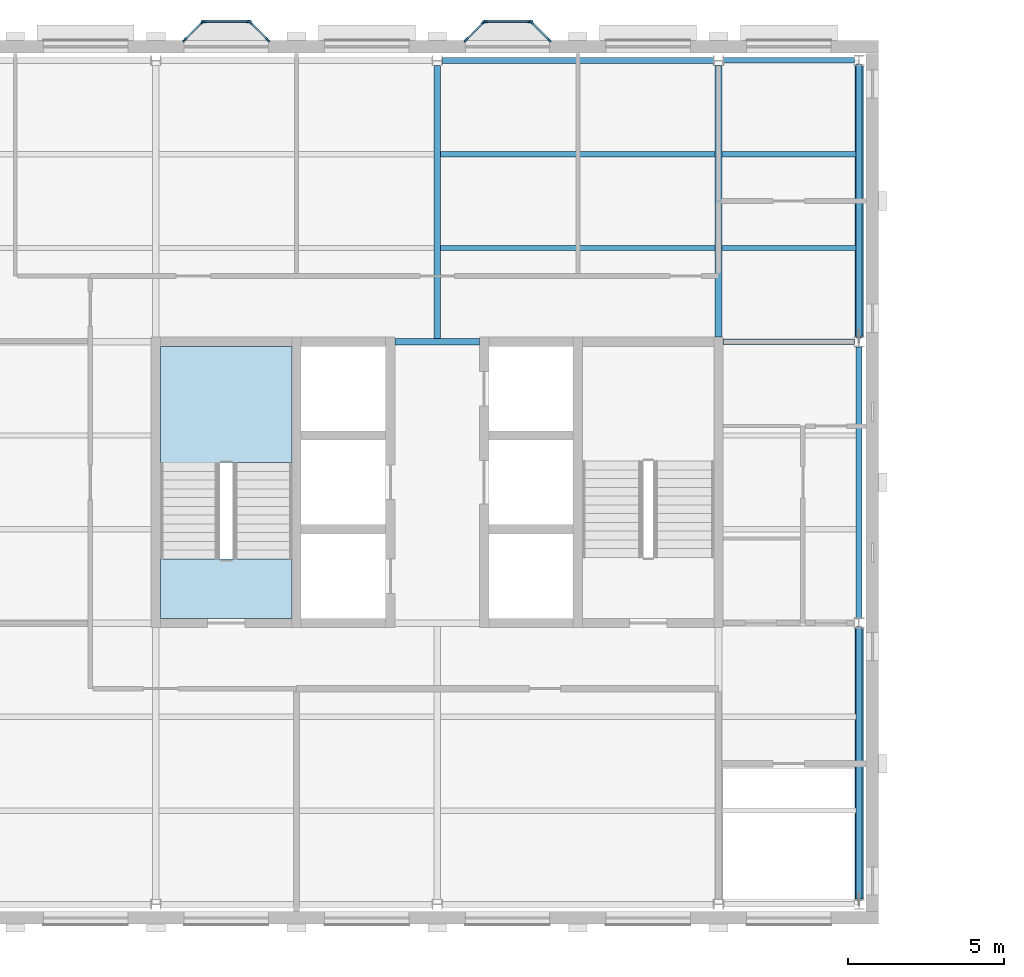
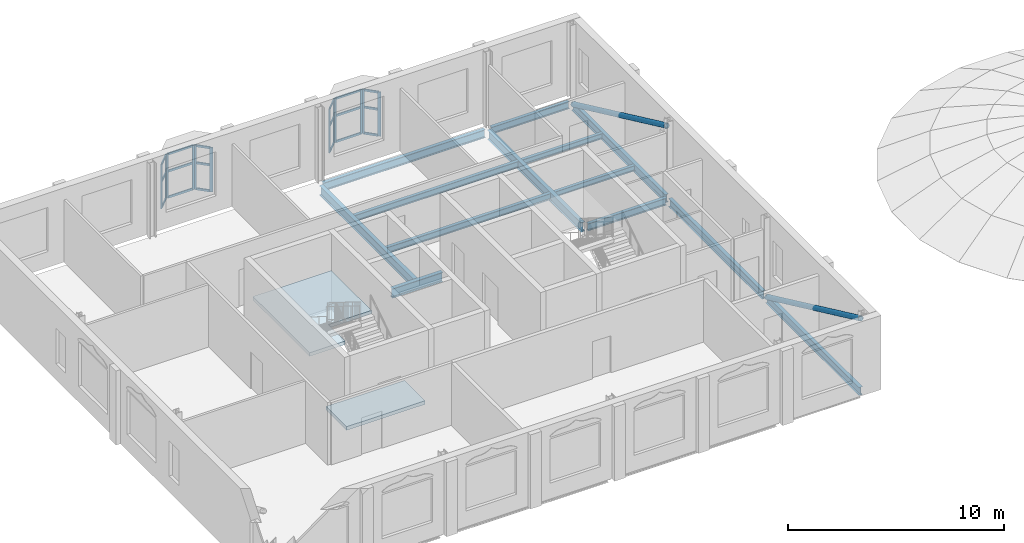
# One storey, part 2 of 11: 32 members, 13 beams, 2 slabs, 7 elements without a shape of their own.
"""IFC4 building model written with IfcOpenShell, lengths in metres."""

from ifc_helpers import new_model, si_unit, direction, frame, origin, origin_2d, place, context, subcontext, project, spatial, polyline, rectangle, hollow_circle, i_section, outline, extrude, material, layer, layer_set, material_profile, profile_set, type_object, element, aggregate, save


model = new_model("IFC4")

# Units and contexts
model_context = context("Model", 3, precision=1e-05, world=origin(), true_north=direction((0.0, 1.0)))
body_context = subcontext(model_context, "Body", "Model", "MODEL_VIEW")
ifc_project = project(units=[si_unit("LENGTHUNIT", "METRE"), si_unit("AREAUNIT", "SQUARE_METRE"), si_unit("VOLUMEUNIT", "CUBIC_METRE"), si_unit("PLANEANGLEUNIT", "RADIAN"), si_unit("MASSUNIT", "GRAM", prefix="KILO")], contexts=[model_context])

# Site, building, storey
site_placement = place(None, origin())
site = spatial("IfcSite", under=ifc_project, at=site_placement, CompositionType="ELEMENT")
building_placement = place(site_placement, origin())
building = spatial("IfcBuilding", under=site, at=building_placement, Name="Hortulan Conservatory and Botanical Research Centre", CompositionType="ELEMENT")
storey_placement = place(building_placement, frame((0.0, 0.0, 27.60009765625)))
storey = spatial("IfcBuildingStorey", under=building, at=storey_placement, Name="L06", CompositionType="ELEMENT", Elevation=27.60009765625)

# Members
ifc_material_1 = material(Name="Steel Grade C350L0 (350 MPa, AS/NZS 1163)", Category="steel")
ifc_material_profile_1 = material_profile(ifc_material_1, hollow_circle(Radius=0.136474609375, WallThickness=0.00927734375, at=origin_2d()), Name="273.1x9.3CHS")
ifc_profile_set_1 = profile_set([ifc_material_profile_1], Name="Steel Grade C350L0 (350 MPa, AS/NZS 1163)")
member_type_1 = type_object("IfcMemberType", Name="Brace 273.1x9.3CHS", PredefinedType="BRACE", material=ifc_profile_set_1)
for number, where, z_axis, x_axis, name in (
    (1, (31.5, 8.83642578125, -0.28369140625), (0.0, -0.906181836611, 0.422888258286), (1.0, 0.0, 0.0), "273.1x9.3CHS brace"),
    (2, (31.5, 26.83642578125, -0.28369140625), (0.0, -0.906181836611, 0.422888258286), (1.0, 0.0, 0.0), "273.1x9.3CHS brace"),
):
    element("IfcMember", number, at=place(storey_placement, frame(where, z_axis=z_axis, x_axis=x_axis)), inside=storey, type_object=member_type_1, Name=name, PredefinedType="BRACE", context=body_context, shape_type="SweptSolid", body=[
        extrude(hollow_circle(Radius=0.136474609375, WallThickness=0.00927734375, at=origin_2d()), origin(), (0.0, 0.0, 1.0), 9.57080078125),
    ])

# Curtain wall, members
ifc_material_2 = material(Name="Bronze-finished aluminium", Category="aluminium")
ifc_layer_1 = layer(ifc_material_2, 0.10009765625)
ifc_layer_set_1 = layer_set([ifc_layer_1], Name="Oriel Curtain Wall 1350 module")
curtain_wall_type = type_object("IfcCurtainWallType", Name="Oriel Curtain Wall 1350 module", PredefinedType="NOTDEFINED", material=ifc_layer_set_1)
curtain_wall_1_placement = place(storey_placement, origin())
curtain_wall_1 = element("IfcCurtainWall", 3, at=curtain_wall_1_placement, inside=storey, type_object=curtain_wall_type, Name="Oriel glazing", PredefinedType="NOTDEFINED")
ifc_material_profile_2 = material_profile(ifc_material_2, rectangle(XDim=0.06005859375, YDim=0.159912109375, at=origin_2d()), Name="Bronze Mullion 60x160")
ifc_profile_set_2 = profile_set([ifc_material_profile_2], Name="Bronze-finished aluminium")
member_type_2 = type_object("IfcMemberType", Name="Bronze Mullion 60x160", PredefinedType="MULLION", material=ifc_profile_set_2)
member_1_placement = place(storey_placement, frame((9.921142578125, 27.6572265625, 0.89990234375), z_axis=(0.0, 0.0, 1.0), x_axis=(-0.707106781187, 0.707106781187, 0.0)))
member_1 = element("IfcMember", 4, at=member_1_placement, type_object=member_type_2, Name="CW2 mullion 1", PredefinedType="MULLION", context=body_context, shape_type="SweptSolid", body=[
    extrude(rectangle(XDim=0.06005859375, YDim=0.159912109375, at=origin_2d()), origin(), (0.0, 0.0, 1.0), 2.5),
])
member_2_placement = place(storey_placement, frame((10.478759765625, 28.21484375, 0.89990234375), z_axis=(0.0, 0.0, 1.0), x_axis=(-0.707106781187, 0.707106781187, 0.0)))
member_2 = element("IfcMember", 5, at=member_2_placement, type_object=member_type_2, Name="CW2 mullion 2", PredefinedType="MULLION", context=body_context, shape_type="SweptSolid", body=[
    extrude(rectangle(XDim=0.06005859375, YDim=0.159912109375, at=origin_2d()), origin(), (0.0, 0.0, 1.0), 2.5),
])

curtain_wall_2_placement = place(storey_placement, origin())
curtain_wall_2 = element("IfcCurtainWall", 6, at=curtain_wall_2_placement, inside=storey, type_object=curtain_wall_type, Name="Oriel glazing", PredefinedType="NOTDEFINED")
member_3_placement = place(storey_placement, frame((10.530029296875, 28.236083984375, 0.89990234375), z_axis=(0.0, 0.0, 1.0), x_axis=(0.0, 1.0, 0.0)))
member_3 = element("IfcMember", 7, at=member_3_placement, type_object=member_type_2, Name="CW2 mullion 1", PredefinedType="MULLION", context=body_context, shape_type="SweptSolid", body=[
    extrude(rectangle(XDim=0.06005859375, YDim=0.159912109375, at=origin_2d()), origin(), (0.0, 0.0, 1.0), 2.5),
])
member_4_placement = place(storey_placement, frame((11.969970703125, 28.236083984375, 0.89990234375), z_axis=(0.0, 0.0, 1.0), x_axis=(0.0, 1.0, 0.0)))
member_4 = element("IfcMember", 8, at=member_4_placement, type_object=member_type_2, Name="CW2 mullion 2", PredefinedType="MULLION", context=body_context, shape_type="SweptSolid", body=[
    extrude(rectangle(XDim=0.06005859375, YDim=0.159912109375, at=origin_2d()), origin(), (0.0, 0.0, 1.0), 2.5),
])

curtain_wall_3_placement = place(storey_placement, origin())
curtain_wall_3 = element("IfcCurtainWall", 9, at=curtain_wall_3_placement, inside=storey, type_object=curtain_wall_type, Name="Oriel glazing", PredefinedType="NOTDEFINED")
member_5_placement = place(storey_placement, frame((12.021240234375, 28.21484375, 0.89990234375), z_axis=(0.0, 0.0, 1.0), x_axis=(0.707106781187, 0.707106781187, 0.0)))
member_5 = element("IfcMember", 10, at=member_5_placement, type_object=member_type_2, Name="CW2 mullion 1", PredefinedType="MULLION", context=body_context, shape_type="SweptSolid", body=[
    extrude(rectangle(XDim=0.06005859375, YDim=0.159912109375, at=origin_2d()), origin(), (0.0, 0.0, 1.0), 2.5),
])
member_6_placement = place(storey_placement, frame((12.578857421875, 27.6572265625, 0.89990234375), z_axis=(0.0, 0.0, 1.0), x_axis=(0.707106781187, 0.707106781187, 0.0)))
member_6 = element("IfcMember", 11, at=member_6_placement, type_object=member_type_2, Name="CW2 mullion 2", PredefinedType="MULLION", context=body_context, shape_type="SweptSolid", body=[
    extrude(rectangle(XDim=0.06005859375, YDim=0.159912109375, at=origin_2d()), origin(), (0.0, 0.0, 1.0), 2.5),
])

curtain_wall_4_placement = place(storey_placement, origin())
curtain_wall_4 = element("IfcCurtainWall", 12, at=curtain_wall_4_placement, inside=storey, type_object=curtain_wall_type, Name="Oriel glazing", PredefinedType="NOTDEFINED")
member_7_placement = place(storey_placement, frame((18.921142578125, 27.6572265625, 0.89990234375), z_axis=(0.0, 0.0, 1.0), x_axis=(-0.707106781187, 0.707106781187, 0.0)))
member_7 = element("IfcMember", 13, at=member_7_placement, type_object=member_type_2, Name="CW2 mullion 1", PredefinedType="MULLION", context=body_context, shape_type="SweptSolid", body=[
    extrude(rectangle(XDim=0.06005859375, YDim=0.159912109375, at=origin_2d()), origin(), (0.0, 0.0, 1.0), 2.5),
])
member_8_placement = place(storey_placement, frame((19.478759765625, 28.21484375, 0.89990234375), z_axis=(0.0, 0.0, 1.0), x_axis=(-0.707106781187, 0.707106781187, 0.0)))
member_8 = element("IfcMember", 14, at=member_8_placement, type_object=member_type_2, Name="CW2 mullion 2", PredefinedType="MULLION", context=body_context, shape_type="SweptSolid", body=[
    extrude(rectangle(XDim=0.06005859375, YDim=0.159912109375, at=origin_2d()), origin(), (0.0, 0.0, 1.0), 2.5),
])

curtain_wall_5_placement = place(storey_placement, origin())
curtain_wall_5 = element("IfcCurtainWall", 15, at=curtain_wall_5_placement, inside=storey, type_object=curtain_wall_type, Name="Oriel glazing", PredefinedType="NOTDEFINED")
member_9_placement = place(storey_placement, frame((19.530029296875, 28.236083984375, 0.89990234375), z_axis=(0.0, 0.0, 1.0), x_axis=(0.0, 1.0, 0.0)))
member_9 = element("IfcMember", 16, at=member_9_placement, type_object=member_type_2, Name="CW2 mullion 1", PredefinedType="MULLION", context=body_context, shape_type="SweptSolid", body=[
    extrude(rectangle(XDim=0.06005859375, YDim=0.159912109375, at=origin_2d()), origin(), (0.0, 0.0, 1.0), 2.5),
])
member_10_placement = place(storey_placement, frame((20.969970703125, 28.236083984375, 0.89990234375), z_axis=(0.0, 0.0, 1.0), x_axis=(0.0, 1.0, 0.0)))
member_10 = element("IfcMember", 17, at=member_10_placement, type_object=member_type_2, Name="CW2 mullion 2", PredefinedType="MULLION", context=body_context, shape_type="SweptSolid", body=[
    extrude(rectangle(XDim=0.06005859375, YDim=0.159912109375, at=origin_2d()), origin(), (0.0, 0.0, 1.0), 2.5),
])

curtain_wall_6_placement = place(storey_placement, origin())
curtain_wall_6 = element("IfcCurtainWall", 18, at=curtain_wall_6_placement, inside=storey, type_object=curtain_wall_type, Name="Oriel glazing", PredefinedType="NOTDEFINED")
member_11_placement = place(storey_placement, frame((21.021240234375, 28.21484375, 0.89990234375), z_axis=(0.0, 0.0, 1.0), x_axis=(0.707106781187, 0.707106781187, 0.0)))
member_11 = element("IfcMember", 19, at=member_11_placement, type_object=member_type_2, Name="CW2 mullion 1", PredefinedType="MULLION", context=body_context, shape_type="SweptSolid", body=[
    extrude(rectangle(XDim=0.06005859375, YDim=0.159912109375, at=origin_2d()), origin(), (0.0, 0.0, 1.0), 2.5),
])
member_12_placement = place(storey_placement, frame((21.578857421875, 27.6572265625, 0.89990234375), z_axis=(0.0, 0.0, 1.0), x_axis=(0.707106781187, 0.707106781187, 0.0)))
member_12 = element("IfcMember", 20, at=member_12_placement, type_object=member_type_2, Name="CW2 mullion 2", PredefinedType="MULLION", context=body_context, shape_type="SweptSolid", body=[
    extrude(rectangle(XDim=0.06005859375, YDim=0.159912109375, at=origin_2d()), origin(), (0.0, 0.0, 1.0), 2.5),
])

# Member
ifc_material_profile_3 = material_profile(ifc_material_2, rectangle(XDim=0.06005859375, YDim=0.1201171875, at=origin_2d()), Name="Bronze Transom 60x120")
ifc_profile_set_3 = profile_set([ifc_material_profile_3], Name="Bronze-finished aluminium")
member_type_3 = type_object("IfcMemberType", Name="Bronze Transom 60x120", PredefinedType="USERDEFINED", material=ifc_profile_set_3)
member_13_placement = place(storey_placement, frame((9.9423828125, 27.678466796875, 0.929931640625), z_axis=(0.707106781187, 0.707106781187, 0.0), x_axis=(-0.707106781187, 0.707106781187, 0.0)))
member_13 = element("IfcMember", 21, at=member_13_placement, type_object=member_type_3, Name="CW2 transom 1.1", ObjectType="TRANSOM", PredefinedType="USERDEFINED", context=body_context, shape_type="SweptSolid", body=[
    extrude(rectangle(XDim=0.06005859375, YDim=0.1201171875, at=origin_2d()), origin(), (0.0, 0.0, 1.0), 0.728515625),
])

member_14_placement = place(storey_placement, frame((9.9423828125, 27.678466796875, 2.39990234375), z_axis=(0.707106781187, 0.707106781187, 0.0), x_axis=(-0.707106781187, 0.707106781187, 0.0)))
member_14 = element("IfcMember", 22, at=member_14_placement, type_object=member_type_3, Name="CW2 transom 1.2", ObjectType="TRANSOM", PredefinedType="USERDEFINED", context=body_context, shape_type="SweptSolid", body=[
    extrude(rectangle(XDim=0.06005859375, YDim=0.1201171875, at=origin_2d()), origin(), (0.0, 0.0, 1.0), 0.728515625),
])

member_15_placement = place(storey_placement, frame((9.9423828125, 27.678466796875, 3.369873046875), z_axis=(0.707106781187, 0.707106781187, 0.0), x_axis=(-0.707106781187, 0.707106781187, 0.0)))
member_15 = element("IfcMember", 23, at=member_15_placement, type_object=member_type_3, Name="CW2 transom 1.3", ObjectType="TRANSOM", PredefinedType="USERDEFINED", context=body_context, shape_type="SweptSolid", body=[
    extrude(rectangle(XDim=0.06005859375, YDim=0.1201171875, at=origin_2d()), origin(), (0.0, 0.0, 1.0), 0.728515625),
])

aggregate(curtain_wall_1, [member_1, member_2, member_13, member_14, member_15])

member_16_placement = place(storey_placement, frame((10.56005859375, 28.236083984375, 0.929931640625), z_axis=(1.0, 0.0, 0.0), x_axis=(0.0, 1.0, 0.0)))
member_16 = element("IfcMember", 24, at=member_16_placement, type_object=member_type_3, Name="CW2 transom 1.1", ObjectType="TRANSOM", PredefinedType="USERDEFINED", context=body_context, shape_type="SweptSolid", body=[
    extrude(rectangle(XDim=0.06005859375, YDim=0.1201171875, at=origin_2d()), origin(), (0.0, 0.0, 1.0), 1.3798828125),
])

member_17_placement = place(storey_placement, frame((10.56005859375, 28.236083984375, 2.39990234375), z_axis=(1.0, 0.0, 0.0), x_axis=(0.0, 1.0, 0.0)))
member_17 = element("IfcMember", 25, at=member_17_placement, type_object=member_type_3, Name="CW2 transom 1.2", ObjectType="TRANSOM", PredefinedType="USERDEFINED", context=body_context, shape_type="SweptSolid", body=[
    extrude(rectangle(XDim=0.06005859375, YDim=0.1201171875, at=origin_2d()), origin(), (0.0, 0.0, 1.0), 1.3798828125),
])

member_18_placement = place(storey_placement, frame((10.56005859375, 28.236083984375, 3.369873046875), z_axis=(1.0, 0.0, 0.0), x_axis=(0.0, 1.0, 0.0)))
member_18 = element("IfcMember", 26, at=member_18_placement, type_object=member_type_3, Name="CW2 transom 1.3", ObjectType="TRANSOM", PredefinedType="USERDEFINED", context=body_context, shape_type="SweptSolid", body=[
    extrude(rectangle(XDim=0.06005859375, YDim=0.1201171875, at=origin_2d()), origin(), (0.0, 0.0, 1.0), 1.3798828125),
])

aggregate(curtain_wall_2, [member_3, member_4, member_16, member_17, member_18])

member_19_placement = place(storey_placement, frame((12.04248046875, 28.193603515625, 0.929931640625), z_axis=(0.707106781187, -0.707106781187, 0.0), x_axis=(0.707106781187, 0.707106781187, 0.0)))
member_19 = element("IfcMember", 27, at=member_19_placement, type_object=member_type_3, Name="CW2 transom 1.1", ObjectType="TRANSOM", PredefinedType="USERDEFINED", context=body_context, shape_type="SweptSolid", body=[
    extrude(rectangle(XDim=0.06005859375, YDim=0.1201171875, at=origin_2d()), origin(), (0.0, 0.0, 1.0), 0.728515625),
])

member_20_placement = place(storey_placement, frame((12.04248046875, 28.193603515625, 2.39990234375), z_axis=(0.707106781187, -0.707106781187, 0.0), x_axis=(0.707106781187, 0.707106781187, 0.0)))
member_20 = element("IfcMember", 28, at=member_20_placement, type_object=member_type_3, Name="CW2 transom 1.2", ObjectType="TRANSOM", PredefinedType="USERDEFINED", context=body_context, shape_type="SweptSolid", body=[
    extrude(rectangle(XDim=0.06005859375, YDim=0.1201171875, at=origin_2d()), origin(), (0.0, 0.0, 1.0), 0.728515625),
])

member_21_placement = place(storey_placement, frame((12.04248046875, 28.193603515625, 3.369873046875), z_axis=(0.707106781187, -0.707106781187, 0.0), x_axis=(0.707106781187, 0.707106781187, 0.0)))
member_21 = element("IfcMember", 29, at=member_21_placement, type_object=member_type_3, Name="CW2 transom 1.3", ObjectType="TRANSOM", PredefinedType="USERDEFINED", context=body_context, shape_type="SweptSolid", body=[
    extrude(rectangle(XDim=0.06005859375, YDim=0.1201171875, at=origin_2d()), origin(), (0.0, 0.0, 1.0), 0.728515625),
])

aggregate(curtain_wall_3, [member_5, member_6, member_19, member_20, member_21])

member_22_placement = place(storey_placement, frame((18.9423828125, 27.678466796875, 0.929931640625), z_axis=(0.707106781187, 0.707106781187, 0.0), x_axis=(-0.707106781187, 0.707106781187, 0.0)))
member_22 = element("IfcMember", 30, at=member_22_placement, type_object=member_type_3, Name="CW2 transom 1.1", ObjectType="TRANSOM", PredefinedType="USERDEFINED", context=body_context, shape_type="SweptSolid", body=[
    extrude(rectangle(XDim=0.06005859375, YDim=0.1201171875, at=origin_2d()), origin(), (0.0, 0.0, 1.0), 0.728515625),
])

member_23_placement = place(storey_placement, frame((18.9423828125, 27.678466796875, 2.39990234375), z_axis=(0.707106781187, 0.707106781187, 0.0), x_axis=(-0.707106781187, 0.707106781187, 0.0)))
member_23 = element("IfcMember", 31, at=member_23_placement, type_object=member_type_3, Name="CW2 transom 1.2", ObjectType="TRANSOM", PredefinedType="USERDEFINED", context=body_context, shape_type="SweptSolid", body=[
    extrude(rectangle(XDim=0.06005859375, YDim=0.1201171875, at=origin_2d()), origin(), (0.0, 0.0, 1.0), 0.728515625),
])

member_24_placement = place(storey_placement, frame((18.9423828125, 27.678466796875, 3.369873046875), z_axis=(0.707106781187, 0.707106781187, 0.0), x_axis=(-0.707106781187, 0.707106781187, 0.0)))
member_24 = element("IfcMember", 32, at=member_24_placement, type_object=member_type_3, Name="CW2 transom 1.3", ObjectType="TRANSOM", PredefinedType="USERDEFINED", context=body_context, shape_type="SweptSolid", body=[
    extrude(rectangle(XDim=0.06005859375, YDim=0.1201171875, at=origin_2d()), origin(), (0.0, 0.0, 1.0), 0.728515625),
])

aggregate(curtain_wall_4, [member_7, member_8, member_22, member_23, member_24])

member_25_placement = place(storey_placement, frame((19.56005859375, 28.236083984375, 0.929931640625), z_axis=(1.0, 0.0, 0.0), x_axis=(0.0, 1.0, 0.0)))
member_25 = element("IfcMember", 33, at=member_25_placement, type_object=member_type_3, Name="CW2 transom 1.1", ObjectType="TRANSOM", PredefinedType="USERDEFINED", context=body_context, shape_type="SweptSolid", body=[
    extrude(rectangle(XDim=0.06005859375, YDim=0.1201171875, at=origin_2d()), origin(), (0.0, 0.0, 1.0), 1.3798828125),
])

member_26_placement = place(storey_placement, frame((19.56005859375, 28.236083984375, 2.39990234375), z_axis=(1.0, 0.0, 0.0), x_axis=(0.0, 1.0, 0.0)))
member_26 = element("IfcMember", 34, at=member_26_placement, type_object=member_type_3, Name="CW2 transom 1.2", ObjectType="TRANSOM", PredefinedType="USERDEFINED", context=body_context, shape_type="SweptSolid", body=[
    extrude(rectangle(XDim=0.06005859375, YDim=0.1201171875, at=origin_2d()), origin(), (0.0, 0.0, 1.0), 1.3798828125),
])

member_27_placement = place(storey_placement, frame((19.56005859375, 28.236083984375, 3.369873046875), z_axis=(1.0, 0.0, 0.0), x_axis=(0.0, 1.0, 0.0)))
member_27 = element("IfcMember", 35, at=member_27_placement, type_object=member_type_3, Name="CW2 transom 1.3", ObjectType="TRANSOM", PredefinedType="USERDEFINED", context=body_context, shape_type="SweptSolid", body=[
    extrude(rectangle(XDim=0.06005859375, YDim=0.1201171875, at=origin_2d()), origin(), (0.0, 0.0, 1.0), 1.3798828125),
])

aggregate(curtain_wall_5, [member_9, member_10, member_25, member_26, member_27])

member_28_placement = place(storey_placement, frame((21.04248046875, 28.193603515625, 0.929931640625), z_axis=(0.707106781187, -0.707106781187, 0.0), x_axis=(0.707106781187, 0.707106781187, 0.0)))
member_28 = element("IfcMember", 36, at=member_28_placement, type_object=member_type_3, Name="CW2 transom 1.1", ObjectType="TRANSOM", PredefinedType="USERDEFINED", context=body_context, shape_type="SweptSolid", body=[
    extrude(rectangle(XDim=0.06005859375, YDim=0.1201171875, at=origin_2d()), origin(), (0.0, 0.0, 1.0), 0.728515625),
])

member_29_placement = place(storey_placement, frame((21.04248046875, 28.193603515625, 2.39990234375), z_axis=(0.707106781187, -0.707106781187, 0.0), x_axis=(0.707106781187, 0.707106781187, 0.0)))
member_29 = element("IfcMember", 37, at=member_29_placement, type_object=member_type_3, Name="CW2 transom 1.2", ObjectType="TRANSOM", PredefinedType="USERDEFINED", context=body_context, shape_type="SweptSolid", body=[
    extrude(rectangle(XDim=0.06005859375, YDim=0.1201171875, at=origin_2d()), origin(), (0.0, 0.0, 1.0), 0.728515625),
])

member_30_placement = place(storey_placement, frame((21.04248046875, 28.193603515625, 3.369873046875), z_axis=(0.707106781187, -0.707106781187, 0.0), x_axis=(0.707106781187, 0.707106781187, 0.0)))
member_30 = element("IfcMember", 38, at=member_30_placement, type_object=member_type_3, Name="CW2 transom 1.3", ObjectType="TRANSOM", PredefinedType="USERDEFINED", context=body_context, shape_type="SweptSolid", body=[
    extrude(rectangle(XDim=0.06005859375, YDim=0.1201171875, at=origin_2d()), origin(), (0.0, 0.0, 1.0), 0.728515625),
])

aggregate(curtain_wall_6, [member_11, member_12, member_28, member_29, member_30])

# Beams
ifc_material_3 = material(Name="Steel Grade 300PLUS (AS/NZS 3679.1, 280 MPa minimum yield)", Category="steel")
ifc_material_profile_4 = material_profile(ifc_material_3, i_section(OverallWidth=0.177978515625, OverallDepth=0.403076171875, WebThickness=0.007568359375, FlangeThickness=0.010986328125, FilletRadius=0.011474609375, at=origin_2d()), Name="410UB53.7")
ifc_profile_set_4 = profile_set([ifc_material_profile_4], Name="Steel Grade 300PLUS (AS/NZS 3679.1, 280 MPa minimum yield)")
beam_type_1 = type_object("IfcBeamType", Name="Primary Beam 410UB53.7", PredefinedType="BEAM", material=ifc_profile_set_4)
beam_1_placement = place(storey_placement, frame((27.16357421875, 27.0, -0.33154296875), z_axis=(1.0, 0.0, 0.0), x_axis=(0.0, 1.0, 0.0)))
element("IfcBeam", 39, at=beam_1_placement, inside=storey, type_object=beam_type_1, Name="410UB53.7 girder", PredefinedType="BEAM", context=body_context, shape_type="SweptSolid", body=[
    extrude(i_section(OverallWidth=0.177978515625, OverallDepth=0.403076171875, WebThickness=0.007568359375, FlangeThickness=0.010986328125, FilletRadius=0.011474609375, at=origin_2d()), origin(), (0.0, 0.0, 1.0), 4.180908203125),
])
beam_2_placement = place(storey_placement, frame((27.14990234375, 18.0, -0.33154296875), z_axis=(1.0, 0.0, 0.0), x_axis=(0.0, 1.0, 0.0)))
element("IfcBeam", 40, at=beam_2_placement, inside=storey, type_object=beam_type_1, Name="410UB53.7 girder", PredefinedType="BEAM", context=body_context, shape_type="SweptSolid", body=[
    extrude(i_section(OverallWidth=0.177978515625, OverallDepth=0.403076171875, WebThickness=0.007568359375, FlangeThickness=0.010986328125, FilletRadius=0.011474609375, at=origin_2d()), origin(), (0.0, 0.0, 1.0), 4.194580078125),
])
ifc_material_profile_5 = material_profile(ifc_material_3, i_section(OverallWidth=0.19091796875, OverallDepth=0.4599609375, WebThickness=0.010009765625, FlangeThickness=0.01611328125, FilletRadius=0.011474609375, at=origin_2d()), Name="460UB82.1")
ifc_profile_set_5 = profile_set([ifc_material_profile_5], Name="Steel Grade 300PLUS (AS/NZS 3679.1, 280 MPa minimum yield)")
beam_type_2 = type_object("IfcBeamType", Name="Primary Beam 460UB82.1", PredefinedType="BEAM", material=ifc_profile_set_5)
for number, where, z_axis, x_axis, name in (
    (41, (18.16357421875, 27.0, -0.360107421875), (1.0, 0.0, 0.0), (0.0, 1.0, 0.0), "460UB82.1 girder"),
    (42, (31.5, 0.16357421875, -0.360107421875), (0.0, 1.0, 0.0), (-1.0, 0.0, 0.0), "460UB82.1 girder"),
    (43, (31.5, 9.16357421875, -0.360107421875), (0.0, 1.0, 0.0), (-1.0, 0.0, 0.0), "460UB82.1 girder"),
    (44, (31.5, 18.16357421875, -0.360107421875), (0.0, 1.0, 0.0), (-1.0, 0.0, 0.0), "460UB82.1 girder"),
):
    element("IfcBeam", number, at=place(storey_placement, frame(where, z_axis=z_axis, x_axis=x_axis)), inside=storey, type_object=beam_type_2, Name=name, PredefinedType="BEAM", context=body_context, shape_type="SweptSolid", body=[
        extrude(i_section(OverallWidth=0.19091796875, OverallDepth=0.4599609375, WebThickness=0.010009765625, FlangeThickness=0.01611328125, FilletRadius=0.011474609375, at=origin_2d()), origin(), (0.0, 0.0, 1.0), 8.6728515625),
    ])
ifc_material_profile_6 = material_profile(ifc_material_3, i_section(OverallWidth=0.208984375, OverallDepth=0.532958984375, WebThickness=0.01025390625, FlangeThickness=0.015625, FilletRadius=0.013916015625, at=origin_2d()), Name="530UB92.4")
ifc_profile_set_6 = profile_set([ifc_material_profile_6], Name="Steel Grade 300PLUS (AS/NZS 3679.1, 280 MPa minimum yield)")
beam_type_3 = type_object("IfcBeamType", Name="Primary Beam 530UB92.4", PredefinedType="BEAM", material=ifc_profile_set_6)
beam_3_placement = place(storey_placement, frame((16.64990234375, 18.0, -0.396484375), z_axis=(1.0, 0.0, 0.0), x_axis=(0.0, 1.0, 0.0)))
element("IfcBeam", 45, at=beam_3_placement, inside=storey, type_object=beam_type_3, Name="530UB92.4 girder", PredefinedType="BEAM", context=body_context, shape_type="SweptSolid", body=[
    extrude(i_section(OverallWidth=0.208984375, OverallDepth=0.532958984375, WebThickness=0.01025390625, FlangeThickness=0.015625, FilletRadius=0.013916015625, at=origin_2d()), origin(), (0.0, 0.0, 1.0), 2.7001953125),
])
beam_4_placement = place(storey_placement, frame((18.0, 18.0, -0.396484375), z_axis=(0.0, 1.0, 0.0), x_axis=(-1.0, 0.0, 0.0)))
element("IfcBeam", 46, at=beam_4_placement, inside=storey, type_object=beam_type_3, Name="530UB92.4 girder", PredefinedType="BEAM", context=body_context, shape_type="SweptSolid", body=[
    extrude(i_section(OverallWidth=0.208984375, OverallDepth=0.532958984375, WebThickness=0.01025390625, FlangeThickness=0.015625, FilletRadius=0.013916015625, at=origin_2d()), origin(), (0.0, 0.0, 1.0), 8.844482421875),
])
beam_5_placement = place(storey_placement, frame((27.0, 18.14990234375, -0.396484375), z_axis=(0.0, 1.0, 0.0), x_axis=(-1.0, 0.0, 0.0)))
element("IfcBeam", 47, at=beam_5_placement, inside=storey, type_object=beam_type_3, Name="530UB92.4 girder", PredefinedType="BEAM", context=body_context, shape_type="SweptSolid", body=[
    extrude(i_section(OverallWidth=0.208984375, OverallDepth=0.532958984375, WebThickness=0.01025390625, FlangeThickness=0.015625, FilletRadius=0.013916015625, at=origin_2d()), origin(), (0.0, 0.0, 1.0), 8.694580078125),
])
ifc_material_profile_7 = material_profile(ifc_material_3, i_section(OverallWidth=0.1650390625, OverallDepth=0.303955078125, WebThickness=0.006103515625, FlangeThickness=0.01025390625, FilletRadius=0.011474609375, at=origin_2d()), Name="310UB40.4")
ifc_profile_set_7 = profile_set([ifc_material_profile_7], Name="Steel Grade 300PLUS (AS/NZS 3679.1, 280 MPa minimum yield)")
beam_type_4 = type_object("IfcBeamType", Name="Secondary Beam 310UB40.4", PredefinedType="JOIST", material=ifc_profile_set_7)
for number, where, z_axis, x_axis, name in (
    (48, (27.1044921875, 21.0, -0.281982421875), (1.0, 0.0, 0.0), (0.0, 1.0, 0.0), "310UB40.4 secondary beam"),
    (49, (27.1044921875, 24.0, -0.281982421875), (1.0, 0.0, 0.0), (0.0, 1.0, 0.0), "310UB40.4 secondary beam"),
):
    element("IfcBeam", number, at=place(storey_placement, frame(where, z_axis=z_axis, x_axis=x_axis)), inside=storey, type_object=beam_type_4, Name=name, PredefinedType="JOIST", context=body_context, shape_type="SweptSolid", body=[
        extrude(i_section(OverallWidth=0.1650390625, OverallDepth=0.303955078125, WebThickness=0.006103515625, FlangeThickness=0.01025390625, FilletRadius=0.011474609375, at=origin_2d()), origin(), (0.0, 0.0, 1.0), 4.300048828125),
    ])
ifc_material_profile_8 = material_profile(ifc_material_3, i_section(OverallWidth=0.172119140625, OverallDepth=0.35888671875, WebThickness=0.008056640625, FlangeThickness=0.012939453125, FilletRadius=0.011474609375, at=origin_2d()), Name="360UB56.7")
ifc_profile_set_8 = profile_set([ifc_material_profile_8], Name="Steel Grade 300PLUS (AS/NZS 3679.1, 280 MPa minimum yield)")
beam_type_5 = type_object("IfcBeamType", Name="Secondary Beam 360UB56.7", PredefinedType="JOIST", material=ifc_profile_set_8)
for number, where, z_axis, x_axis, name in (
    (50, (18.1044921875, 21.0, -0.3095703125), (1.0, 0.0, 0.0), (0.0, 1.0, 0.0), "360UB56.7 secondary beam"),
    (51, (18.1044921875, 24.0, -0.3095703125), (1.0, 0.0, 0.0), (0.0, 1.0, 0.0), "360UB56.7 secondary beam"),
):
    element("IfcBeam", number, at=place(storey_placement, frame(where, z_axis=z_axis, x_axis=x_axis)), inside=storey, type_object=beam_type_5, Name=name, PredefinedType="JOIST", context=body_context, shape_type="SweptSolid", body=[
        extrude(i_section(OverallWidth=0.172119140625, OverallDepth=0.35888671875, WebThickness=0.008056640625, FlangeThickness=0.012939453125, FilletRadius=0.011474609375, at=origin_2d()), origin(), (0.0, 0.0, 1.0), 8.791015625),
    ])

# Stair, slab
ifc_material_4 = material(Name="Concrete N40 (40 MPa, AS 3600)", Category="concrete")
stair_type = type_object("IfcStairType", Name="Concrete Escape Stair 1900", PredefinedType="HALF_TURN_STAIR", material=ifc_material_4)
stair_placement = place(storey_placement, origin())
stair = element("IfcStair", 52, at=stair_placement, inside=storey, type_object=stair_type, Name="Stair T1 L06", PredefinedType="HALF_TURN_STAIR")
ifc_layer_2 = layer(ifc_material_4, 0.199951171875)
ifc_layer_set_2 = layer_set([ifc_layer_2], Name="Stair Landing 200")
slab_type = type_object("IfcSlabType", Name="Stair Landing 200", PredefinedType="LANDING", material=ifc_layer_set_2)
slab_1_placement = place(storey_placement, frame((0.0, 0.0, 1.89990234375)))
slab_1 = element("IfcSlab", 53, at=slab_1_placement, type_object=slab_type, Name="Stair T1 L06 half landing 1", PredefinedType="LANDING", context=body_context, shape_type="SweptSolid", body=[
    extrude(outline(polyline([(13.35009765625, 14.12939453125), (11.050048828125, 14.12939453125), (11.050048828125, 12.590087890625), (9.14990234375, 12.590087890625), (9.14990234375, 14.12939453125), (9.14990234375, 14.1298828125), (9.14990234375, 14.139892578125), (9.14990234375, 17.85009765625), (13.35009765625, 17.85009765625), (13.35009765625, 14.139892578125), (13.35009765625, 14.1298828125), (13.35009765625, 14.12939453125)])), origin(), (0.0, 0.0, 1.0), 0.199951171875),
])
aggregate(stair, [slab_1])

# Slab
slab_2_placement = place(storey_placement, frame((0.0, 0.0, -0.2001953125)))
element("IfcSlab", 54, at=slab_2_placement, inside=storey, type_object=slab_type, Name="Stair T1 floor landing L06", PredefinedType="LANDING", context=body_context, shape_type="SweptSolid", body=[
    extrude(outline(polyline([(13.35009765625, 9.14990234375), (9.14990234375, 9.14990234375), (9.14990234375, 11.050048828125), (13.35009765625, 11.050048828125), (13.35009765625, 9.14990234375)])), origin(), (0.0, 0.0, 1.0), 0.2001953125),
])

save(model, "model.ifc")
